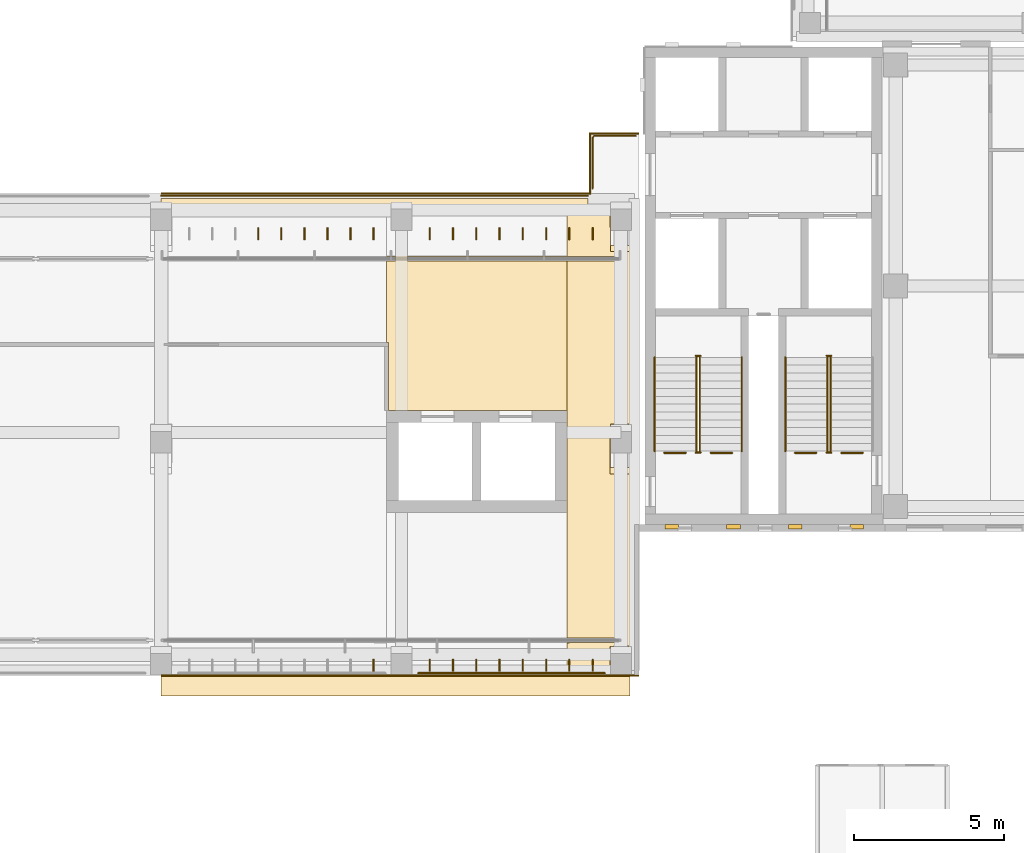
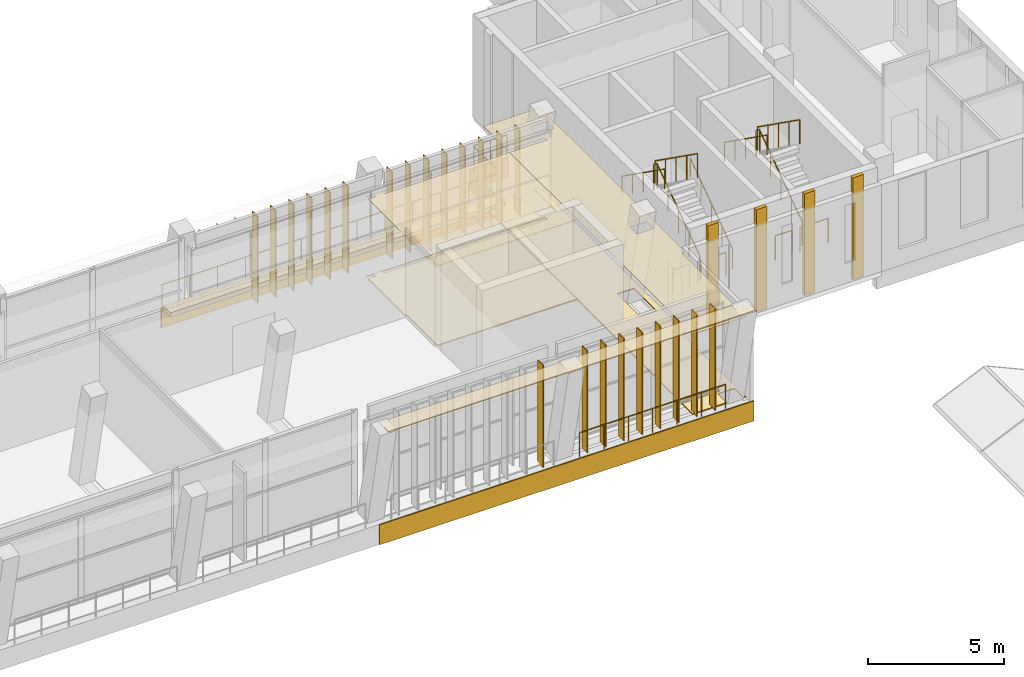
# One storey, part 57 of 73: 23 shading devices, 18 railings, 14 coverings.
"""IFC4 building model written with IfcOpenShell, lengths in metres."""

from ifc_helpers import new_model, si_unit, direction, frame, frame_2d, origin, origin_2d, place, context, subcontext, project, spatial, polyline, rectangle, circle, outline, extrude, material, layer, layer_set, type_object, element, save


model = new_model("IFC4")

# Units and contexts
model_context = context("Model", 3, precision=1e-05, world=origin(), true_north=direction((0.0, 1.0)))
body_context = subcontext(model_context, "Body", "Model", "MODEL_VIEW")
ifc_project = project(units=[si_unit("LENGTHUNIT", "METRE"), si_unit("AREAUNIT", "SQUARE_METRE"), si_unit("VOLUMEUNIT", "CUBIC_METRE"), si_unit("PLANEANGLEUNIT", "RADIAN"), si_unit("MASSUNIT", "GRAM", prefix="KILO")], contexts=[model_context])

# Site, building, storey
site_placement = place(None, origin())
site = spatial("IfcSite", under=ifc_project, at=site_placement, CompositionType="ELEMENT")
building_placement = place(site_placement, origin())
building = spatial("IfcBuilding", under=site, at=building_placement, Name="Lantern Court Media Centre", CompositionType="ELEMENT")
storey_placement = place(building_placement, frame((0.0, 0.0, 24.0)))
storey = spatial("IfcBuildingStorey", under=building, at=storey_placement, Name="L05", CompositionType="ELEMENT", Elevation=24.0)

# Railings
ifc_material_1 = material(Name="Powder-coated steel", Category="steel")
railing_type_1 = type_object("IfcRailingType", Name="Floor edge guard 1100", PredefinedType="GUARDRAIL", material=ifc_material_1)
railing_1_placement = place(storey_placement, frame((87.35009765625, 50.390380859375, 0.0)))
element("IfcRailing", 1, at=railing_1_placement, inside=storey, type_object=railing_type_1, Name="L05 opening guard 127", PredefinedType="GUARDRAIL", context=body_context, shape_type="SweptSolid", body=[
    extrude(circle(Radius=0.02392578125, at=origin_2d()), frame((0.0, 0.0, 1.076171875), z_axis=(-1.0, 0.0, 0.0), x_axis=(0.0, -1.0, 0.0)), (0.0, 0.0, 1.0), 0.703857421875),
    extrude(circle(Radius=0.02099609375, at=origin_2d()), origin(), (0.0, 0.0, 1.0), 1.052001953125),
    extrude(circle(Radius=0.02099609375, at=origin_2d()), frame((-0.703857421875, 0.0, 0.0)), (0.0, 0.0, 1.0), 1.052001953125),
])
for number, where, name in (
    (2, (85.8037109375, 50.390380859375, 0.0), "L05 opening guard 128"),
    (3, (83.0, 50.390380859375, 0.0), "L05 opening guard 129"),
    (4, (81.45361328125, 50.390380859375, 0.0), "L05 opening guard 130"),
):
    element("IfcRailing", number, at=place(storey_placement, frame(where)), inside=storey, type_object=railing_type_1, Name=name, PredefinedType="GUARDRAIL", context=body_context, shape_type="SweptSolid", body=[
        extrude(circle(Radius=0.02392578125, at=origin_2d()), frame((0.0, 0.0, 1.076171875), z_axis=(-1.0, 0.0, 0.0), x_axis=(0.0, -1.0, 0.0)), (0.0, 0.0, 1.0), 0.70361328125),
        extrude(circle(Radius=0.02099609375, at=origin_2d()), origin(), (0.0, 0.0, 1.0), 1.052001953125),
        extrude(circle(Radius=0.02099609375, at=origin_2d()), frame((-0.70361328125, 0.0, 0.0)), (0.0, 0.0, 1.0), 1.052001953125),
    ])
railing_2_placement = place(storey_placement, frame((78.760009765625, 43.06005859375, 0.0)))
element("IfcRailing", 5, at=railing_2_placement, inside=storey, type_object=railing_type_1, Name="L05 edge guard 189", PredefinedType="GUARDRAIL", context=body_context, shape_type="SweptSolid", body=[
    extrude(circle(Radius=0.02392578125, at=origin_2d()), frame((0.0, 0.0, 1.076171875), z_axis=(-1.0, 0.0, 0.0), x_axis=(0.0, -1.0, 0.0)), (0.0, 0.0, 1.0), 6.197998046875),
    extrude(circle(Radius=0.02099609375, at=origin_2d()), origin(), (0.0, 0.0, 1.0), 1.052001953125),
    extrude(circle(Radius=0.02099609375, at=origin_2d()), frame((-1.032958984375, 0.0, 0.0)), (0.0, 0.0, 1.0), 1.052001953125),
    extrude(circle(Radius=0.02099609375, at=origin_2d()), frame((-2.06591796875, 0.0, 0.0)), (0.0, 0.0, 1.0), 1.052001953125),
    extrude(circle(Radius=0.02099609375, at=origin_2d()), frame((-3.09912109375, 0.0, 0.0)), (0.0, 0.0, 1.0), 1.052001953125),
    extrude(circle(Radius=0.02099609375, at=origin_2d()), frame((-4.132080078125, 0.0, 0.0)), (0.0, 0.0, 1.0), 1.052001953125),
    extrude(circle(Radius=0.02099609375, at=origin_2d()), frame((-5.1650390625, 0.0, 0.0)), (0.0, 0.0, 1.0), 1.052001953125),
    extrude(circle(Radius=0.02099609375, at=origin_2d()), frame((-6.197998046875, 0.0, 0.0)), (0.0, 0.0, 1.0), 1.052001953125),
])
railing_3_placement = place(storey_placement, frame((78.360107421875, 59.18505859375, 0.0)))
element("IfcRailing", 6, at=railing_3_placement, inside=storey, type_object=railing_type_1, Name="L05 edge guard 190", PredefinedType="GUARDRAIL", context=body_context, shape_type="SweptSolid", body=[
    extrude(circle(Radius=0.02392578125, at=origin_2d()), frame((0.0, 0.0, 1.076171875), z_axis=(0.0, 1.0, 0.0), x_axis=(-1.0, 0.0, 0.0)), (0.0, 0.0, 1.0), 1.698974609375),
    extrude(circle(Radius=0.02392578125, at=origin_2d()), frame((0.0, 1.698974609375, 1.076171875), z_axis=(0.626354171064, 0.779538615074, 0.0), x_axis=(-0.779538615074, 0.626354171064, 0.0)), (0.0, 0.0, 1.0), 0.07177734375),
    extrude(circle(Radius=0.02392578125, at=origin_2d()), frame((0.044921875, 1.7548828125, 1.076171875), z_axis=(1.0, 0.0, 0.0), x_axis=(0.0, 1.0, 0.0)), (0.0, 0.0, 1.0), 1.39892578125),
    extrude(circle(Radius=0.02099609375, at=origin_2d()), origin(), (0.0, 0.0, 1.0), 1.052001953125),
    extrude(circle(Radius=0.02099609375, at=origin_2d()), frame((0.0, 0.849609375, 0.0)), (0.0, 0.0, 1.0), 1.052001953125),
    extrude(circle(Radius=0.02099609375, at=origin_2d()), frame((0.0, 1.698974609375, 0.0)), (0.0, 0.0, 1.0), 1.052001953125),
    extrude(circle(Radius=0.02099609375, at=origin_2d()), frame((0.044921875, 1.7548828125, 0.0)), (0.0, 0.0, 1.0), 1.052001953125),
    extrude(circle(Radius=0.02099609375, at=origin_2d()), frame((0.744384765625, 1.7548828125, 0.0)), (0.0, 0.0, 1.0), 1.052001953125),
    extrude(circle(Radius=0.02099609375, at=origin_2d()), frame((1.44384765625, 1.7548828125, 0.0)), (0.0, 0.0, 1.0), 1.052001953125),
])

# Coverings
ifc_material_2 = material(Name="White glass-fibre reinforced cement cladding", Category="concrete")
ifc_layer_1 = layer(ifc_material_2, 0.050048828125)
ifc_layer_set_1 = layer_set([ifc_layer_1], Name="White glass-fibre reinforced cement cladding")
covering_type_1 = type_object("IfcCoveringType", Name="Floor-edge band 50", PredefinedType="CLADDING", material=ifc_layer_set_1)
covering_1_placement = place(storey_placement, frame((64.0, 42.97509765625, -0.89990234375), z_axis=(0.0, 0.0, 1.0), x_axis=(1.0, 0.0, 0.0)))
element("IfcCovering", 7, at=covering_1_placement, inside=storey, type_object=covering_type_1, Name="Floor-edge band S outer L05", PredefinedType="CLADDING", context=body_context, shape_type="SweptSolid", body=[
    extrude(rectangle(XDim=15.89990234375, YDim=0.050048828125, at=frame_2d((7.949951171875, 0.0))), origin(), (0.0, 0.0, 1.0), 0.89990234375),
])
covering_2_placement = place(storey_placement, frame((64.0, 59.02490234375, -0.89990234375), z_axis=(0.0, 0.0, 1.0), x_axis=(1.0, 0.0, 0.0)))
element("IfcCovering", 8, at=covering_2_placement, inside=storey, type_object=covering_type_1, Name="Floor-edge band S inner L05", PredefinedType="CLADDING", context=body_context, shape_type="SweptSolid", body=[
    extrude(rectangle(XDim=14.25, YDim=0.050048828125, at=frame_2d((7.125, 0.0))), origin(), (0.0, 0.0, 1.0), 0.89990234375),
])
covering_3_placement = place(storey_placement, frame((78.300048828125, 61.02490234375, -0.89990234375), z_axis=(0.0, 0.0, 1.0), x_axis=(1.0, 0.0, 0.0)))
element("IfcCovering", 9, at=covering_3_placement, inside=storey, type_object=covering_type_1, Name="Floor-edge band S inner L05", PredefinedType="CLADDING", context=body_context, shape_type="SweptSolid", body=[
    extrude(rectangle(XDim=1.599853515625, YDim=0.050048828125, at=frame_2d((0.7998046875, 0.0))), origin(), (0.0, 0.0, 1.0), 0.89990234375),
])
covering_4_placement = place(storey_placement, frame((78.27490234375, 59.0, -0.89990234375), z_axis=(0.0, 0.0, 1.0), x_axis=(0.0, 1.0, 0.0)))
element("IfcCovering", 10, at=covering_4_placement, inside=storey, type_object=covering_type_1, Name="Floor-edge band S inner L05", PredefinedType="CLADDING", context=body_context, shape_type="SweptSolid", body=[
    extrude(rectangle(XDim=2.050048828125, YDim=0.050048828125, at=frame_2d((1.02490234375, 0.0))), origin(), (0.0, 0.0, 1.0), 0.89990234375),
])

# Railing
ifc_material_3 = material(Name="Painted mild steel balustrade", Category="steel")
railing_type_2 = type_object("IfcRailingType", Name="Guard 1100 steel balustrade", PredefinedType="GUARDRAIL", material=ifc_material_3)
railing_4_placement = place(storey_placement, frame((64.0, 58.949951171875, 0.0)))
element("IfcRailing", 11, at=railing_4_placement, inside=storey, type_object=railing_type_2, Name="Ledge guard S L05", PredefinedType="GUARDRAIL", context=body_context, shape_type="SweptSolid", body=[
    extrude(circle(Radius=0.02392578125, at=origin_2d()), frame((0.0, 0.0, 1.076171875), z_axis=(1.0, 0.0, 0.0), x_axis=(0.0, 1.0, 0.0)), (0.0, 0.0, 1.0), 14.199951171875),
    extrude(circle(Radius=0.02099609375, at=origin_2d()), origin(), (0.0, 0.0, 1.0), 1.052001953125),
    extrude(circle(Radius=0.02099609375, at=origin_2d()), frame((1.183349609375, 0.0, 0.0)), (0.0, 0.0, 1.0), 1.052001953125),
    extrude(circle(Radius=0.02099609375, at=origin_2d()), frame((2.36669921875, 0.0, 0.0)), (0.0, 0.0, 1.0), 1.052001953125),
    extrude(circle(Radius=0.02099609375, at=origin_2d()), frame((3.550048828125, 0.0, 0.0)), (0.0, 0.0, 1.0), 1.052001953125),
    extrude(circle(Radius=0.02099609375, at=origin_2d()), frame((4.7333984375, 0.0, 0.0)), (0.0, 0.0, 1.0), 1.052001953125),
    extrude(circle(Radius=0.02099609375, at=origin_2d()), frame((5.916748046875, 0.0, 0.0)), (0.0, 0.0, 1.0), 1.052001953125),
    extrude(circle(Radius=0.02099609375, at=origin_2d()), frame((7.10009765625, 0.0, 0.0)), (0.0, 0.0, 1.0), 1.052001953125),
    extrude(circle(Radius=0.02099609375, at=origin_2d()), frame((8.283203125, 0.0, 0.0)), (0.0, 0.0, 1.0), 1.052001953125),
    extrude(circle(Radius=0.02099609375, at=origin_2d()), frame((9.466552734375, 0.0, 0.0)), (0.0, 0.0, 1.0), 1.052001953125),
    extrude(circle(Radius=0.02099609375, at=origin_2d()), frame((10.64990234375, 0.0, 0.0)), (0.0, 0.0, 1.0), 1.052001953125),
    extrude(circle(Radius=0.02099609375, at=origin_2d()), frame((11.833251953125, 0.0, 0.0)), (0.0, 0.0, 1.0), 1.052001953125),
    extrude(circle(Radius=0.02099609375, at=origin_2d()), frame((13.0166015625, 0.0, 0.0)), (0.0, 0.0, 1.0), 1.052001953125),
    extrude(circle(Radius=0.02099609375, at=origin_2d()), frame((14.199951171875, 0.0, 0.0)), (0.0, 0.0, 1.0), 1.052001953125),
])

# Coverings
ifc_material_4 = material(Name="Honed limestone cladding", Category="masonry")
ifc_layer_2 = layer(ifc_material_4, 0.14990234375)
ifc_layer_set_2 = layer_set([ifc_layer_2], Name="Honed limestone cladding")
covering_type_2 = type_object("IfcCoveringType", Name="Limestone pilaster cladding 150", PredefinedType="CLADDING", material=ifc_layer_set_2)
covering_5_placement = place(storey_placement, frame((80.77490234375, 47.925048828125, 0.0), z_axis=(0.0, 0.0, 1.0), x_axis=(1.0, 0.0, 0.0)))
element("IfcCovering", 12, at=covering_5_placement, inside=storey, type_object=covering_type_2, Name="Limestone pilaster rib", PredefinedType="CLADDING", context=body_context, shape_type="SweptSolid", body=[
    extrude(rectangle(XDim=0.4501953125, YDim=0.14990234375, at=frame_2d((0.22509765625, 0.0))), origin(), (0.0, 0.0, 1.0), 4.580078125),
])
for number, where, z_axis, x_axis, name in (
    (13, (82.824951171875, 47.925048828125, 0.0), (0.0, 0.0, 1.0), (1.0, 0.0, 0.0), "Limestone pilaster rib"),
    (14, (84.875, 47.925048828125, 0.0), (0.0, 0.0, 1.0), (1.0, 0.0, 0.0), "Limestone pilaster rib"),
    (15, (86.925048828125, 47.925048828125, 0.0), (0.0, 0.0, 1.0), (1.0, 0.0, 0.0), "Limestone pilaster rib"),
):
    element("IfcCovering", number, at=place(storey_placement, frame(where, z_axis=z_axis, x_axis=x_axis)), inside=storey, type_object=covering_type_2, Name=name, PredefinedType="CLADDING", context=body_context, shape_type="SweptSolid", body=[
        extrude(rectangle(XDim=0.449951171875, YDim=0.14990234375, at=frame_2d((0.22509765625, 0.0))), origin(), (0.0, 0.0, 1.0), 4.580078125),
    ])
ifc_material_5 = material(Name="Planting substrate")
ifc_layer_3 = layer(ifc_material_5, 0.199951171875)
ifc_layer_set_3 = layer_set([ifc_layer_3], Name="Planting substrate")
covering_type_3 = type_object("IfcCoveringType", Name="Planted ledge build-up 200", PredefinedType="ROOFING", material=ifc_layer_set_3)
covering_6_placement = place(storey_placement, origin())
element("IfcCovering", 16, at=covering_6_placement, inside=storey, type_object=covering_type_3, Name="Planted ledge S L05", PredefinedType="ROOFING", context=body_context, shape_type="SweptSolid", body=[
    extrude(outline(polyline([(64.0, 58.85009765625), (78.199951171875, 58.85009765625), (78.199951171875, 58.320068359375), (64.0, 58.320068359375), (64.0, 58.85009765625)])), origin(), (0.0, 0.0, 1.0), 0.199951171875),
])
ifc_material_6 = material(Name="White fibre cement soffit board")
ifc_layer_4 = layer(ifc_material_6, 0.0400390625)
ifc_layer_set_4 = layer_set([ifc_layer_4], Name="White fibre cement soffit board")
covering_type_4 = type_object("IfcCoveringType", Name="Soffit lining 40", PredefinedType="CLADDING", material=ifc_layer_set_4)
covering_7_placement = place(storey_placement, frame((64.0, 42.64990234375, 4.5400390625), z_axis=(0.0, 0.0, 1.0), x_axis=(1.0, 0.0, 0.0)))
element("IfcCovering", 17, at=covering_7_placement, inside=storey, type_object=covering_type_4, Name="Soffit lining S L05", PredefinedType="CLADDING", context=body_context, shape_type="SweptSolid", body=[
    extrude(rectangle(XDim=15.60009765625, YDim=0.699951171875, at=frame_2d((7.800048828125, 0.0))), origin(), (0.0, 0.0, 1.0), 0.0400390625),
])

# Railings
railing_type_3 = type_object("IfcRailingType", Name="Stair guard 1100", PredefinedType="GUARDRAIL", material=ifc_material_1)
railing_5_placement = place(storey_placement, frame((86.27587890625, 50.449951171875, 0.1845703125)))
element("IfcRailing", 18, at=railing_5_placement, inside=storey, type_object=railing_type_3, Name="L05 ST-SEA stair guard 1", PredefinedType="GUARDRAIL", context=body_context, shape_type="SweptSolid", body=[
    extrude(circle(Radius=0.02392578125, at=origin_2d()), frame((0.0, 0.0, 1.076171875), z_axis=(0.0, 0.815376961211, 0.578930402662), x_axis=(-1.0, 0.0, 0.0)), (0.0, 0.0, 1.0), 3.82666015625),
    extrude(circle(Radius=0.02099609375, at=origin_2d()), origin(), (0.0, 0.0, 1.0), 1.052001953125),
    extrude(circle(Radius=0.02099609375, at=origin_2d()), frame((0.0, 0.780029296875, 0.5537109375)), (0.0, 0.0, 1.0), 1.052001953125),
    extrude(circle(Radius=0.02099609375, at=origin_2d()), frame((0.0, 1.56005859375, 1.107666015625)), (0.0, 0.0, 1.0), 1.052001953125),
    extrude(circle(Radius=0.02099609375, at=origin_2d()), frame((0.0, 2.340087890625, 1.66162109375)), (0.0, 0.0, 1.0), 1.052001953125),
    extrude(circle(Radius=0.02099609375, at=origin_2d()), frame((0.0, 3.1201171875, 2.21533203125)), (0.0, 0.0, 1.0), 1.052001953125),
])
railing_6_placement = place(storey_placement, frame((86.300048828125, 53.6201171875, 2.39990234375)))
element("IfcRailing", 19, at=railing_6_placement, inside=storey, type_object=railing_type_3, Name="L05 ST-SEA stair guard 2", PredefinedType="GUARDRAIL", context=body_context, shape_type="SweptSolid", body=[
    extrude(circle(Radius=0.02392578125, at=origin_2d()), frame((0.0, 0.0, 1.076171875), z_axis=(-1.0, 0.0, 0.0), x_axis=(0.0, -1.0, 0.0)), (0.0, 0.0, 1.0), 0.150146484375),
    extrude(circle(Radius=0.02099609375, at=origin_2d()), origin(), (0.0, 0.0, 1.0), 1.052001953125),
    extrude(circle(Radius=0.02099609375, at=origin_2d()), frame((-0.150146484375, 0.0, 0.0)), (0.0, 0.0, 1.0), 1.052001953125),
])
railing_7_placement = place(storey_placement, frame((86.174072265625, 53.570068359375, 2.584716796875)))
element("IfcRailing", 20, at=railing_7_placement, inside=storey, type_object=railing_type_3, Name="L05 ST-SEA stair guard 3", PredefinedType="GUARDRAIL", context=body_context, shape_type="SweptSolid", body=[
    extrude(circle(Radius=0.02392578125, at=origin_2d()), frame((0.0, 0.0, 1.076171875), z_axis=(0.0, -0.815376961211, 0.578930402662), x_axis=(1.0, 0.0, 0.0)), (0.0, 0.0, 1.0), 3.82666015625),
    extrude(circle(Radius=0.02099609375, at=origin_2d()), origin(), (0.0, 0.0, 1.0), 1.052001953125),
    extrude(circle(Radius=0.02099609375, at=origin_2d()), frame((0.0, -0.780029296875, 0.5537109375)), (0.0, 0.0, 1.0), 1.052001953125),
    extrude(circle(Radius=0.02099609375, at=origin_2d()), frame((0.0, -1.56005859375, 1.107666015625)), (0.0, 0.0, 1.0), 1.052001953125),
    extrude(circle(Radius=0.02099609375, at=origin_2d()), frame((0.0, -2.340087890625, 1.66162109375)), (0.0, 0.0, 1.0), 1.052001953125),
    extrude(circle(Radius=0.02099609375, at=origin_2d()), frame((0.0, -3.1201171875, 2.21533203125)), (0.0, 0.0, 1.0), 1.052001953125),
])
railing_8_placement = place(storey_placement, frame((86.300048828125, 50.39990234375, 0.0)))
element("IfcRailing", 21, at=railing_8_placement, inside=storey, type_object=railing_type_3, Name="L05 ST-SEA stair guard 4", PredefinedType="GUARDRAIL", context=body_context, shape_type="SweptSolid", body=[
    extrude(circle(Radius=0.02392578125, at=origin_2d()), frame((0.0, 0.0, 1.076171875), z_axis=(-1.0, 0.0, 0.0), x_axis=(0.0, -1.0, 0.0)), (0.0, 0.0, 1.0), 0.150146484375),
    extrude(circle(Radius=0.02099609375, at=origin_2d()), origin(), (0.0, 0.0, 1.0), 1.052001953125),
    extrude(circle(Radius=0.02099609375, at=origin_2d()), frame((-0.150146484375, 0.0, 0.0)), (0.0, 0.0, 1.0), 1.052001953125),
])
railing_9_placement = place(storey_placement, frame((81.926025390625, 50.449951171875, 0.1845703125)))
element("IfcRailing", 22, at=railing_9_placement, inside=storey, type_object=railing_type_3, Name="L05 ST-SEB stair guard 1", PredefinedType="GUARDRAIL", context=body_context, shape_type="SweptSolid", body=[
    extrude(circle(Radius=0.02392578125, at=origin_2d()), frame((0.0, 0.0, 1.076171875), z_axis=(0.0, 0.815376961211, 0.578930402662), x_axis=(-1.0, 0.0, 0.0)), (0.0, 0.0, 1.0), 3.82666015625),
    extrude(circle(Radius=0.02099609375, at=origin_2d()), origin(), (0.0, 0.0, 1.0), 1.052001953125),
    extrude(circle(Radius=0.02099609375, at=origin_2d()), frame((0.0, 0.780029296875, 0.5537109375)), (0.0, 0.0, 1.0), 1.052001953125),
    extrude(circle(Radius=0.02099609375, at=origin_2d()), frame((0.0, 1.56005859375, 1.107666015625)), (0.0, 0.0, 1.0), 1.052001953125),
    extrude(circle(Radius=0.02099609375, at=origin_2d()), frame((0.0, 2.340087890625, 1.66162109375)), (0.0, 0.0, 1.0), 1.052001953125),
    extrude(circle(Radius=0.02099609375, at=origin_2d()), frame((0.0, 3.1201171875, 2.21533203125)), (0.0, 0.0, 1.0), 1.052001953125),
])
railing_10_placement = place(storey_placement, frame((81.949951171875, 53.6201171875, 2.39990234375)))
element("IfcRailing", 23, at=railing_10_placement, inside=storey, type_object=railing_type_3, Name="L05 ST-SEB stair guard 2", PredefinedType="GUARDRAIL", context=body_context, shape_type="SweptSolid", body=[
    extrude(circle(Radius=0.02392578125, at=origin_2d()), frame((0.0, 0.0, 1.076171875), z_axis=(-1.0, 0.0, 0.0), x_axis=(0.0, -1.0, 0.0)), (0.0, 0.0, 1.0), 0.14990234375),
    extrude(circle(Radius=0.02099609375, at=origin_2d()), origin(), (0.0, 0.0, 1.0), 1.052001953125),
    extrude(circle(Radius=0.02099609375, at=origin_2d()), frame((-0.14990234375, 0.0, 0.0)), (0.0, 0.0, 1.0), 1.052001953125),
])
railing_11_placement = place(storey_placement, frame((81.823974609375, 53.570068359375, 2.584716796875)))
element("IfcRailing", 24, at=railing_11_placement, inside=storey, type_object=railing_type_3, Name="L05 ST-SEB stair guard 3", PredefinedType="GUARDRAIL", context=body_context, shape_type="SweptSolid", body=[
    extrude(circle(Radius=0.02392578125, at=origin_2d()), frame((0.0, 0.0, 1.076171875), z_axis=(0.0, -0.815376961211, 0.578930402662), x_axis=(1.0, 0.0, 0.0)), (0.0, 0.0, 1.0), 3.82666015625),
    extrude(circle(Radius=0.02099609375, at=origin_2d()), origin(), (0.0, 0.0, 1.0), 1.052001953125),
    extrude(circle(Radius=0.02099609375, at=origin_2d()), frame((0.0, -0.780029296875, 0.5537109375)), (0.0, 0.0, 1.0), 1.052001953125),
    extrude(circle(Radius=0.02099609375, at=origin_2d()), frame((0.0, -1.56005859375, 1.107666015625)), (0.0, 0.0, 1.0), 1.052001953125),
    extrude(circle(Radius=0.02099609375, at=origin_2d()), frame((0.0, -2.340087890625, 1.66162109375)), (0.0, 0.0, 1.0), 1.052001953125),
    extrude(circle(Radius=0.02099609375, at=origin_2d()), frame((0.0, -3.1201171875, 2.21533203125)), (0.0, 0.0, 1.0), 1.052001953125),
])
railing_12_placement = place(storey_placement, frame((81.949951171875, 50.39990234375, 0.0)))
element("IfcRailing", 25, at=railing_12_placement, inside=storey, type_object=railing_type_3, Name="L05 ST-SEB stair guard 4", PredefinedType="GUARDRAIL", context=body_context, shape_type="SweptSolid", body=[
    extrude(circle(Radius=0.02392578125, at=origin_2d()), frame((0.0, 0.0, 1.076171875), z_axis=(-1.0, 0.0, 0.0), x_axis=(0.0, -1.0, 0.0)), (0.0, 0.0, 1.0), 0.14990234375),
    extrude(circle(Radius=0.02099609375, at=origin_2d()), origin(), (0.0, 0.0, 1.0), 1.052001953125),
    extrude(circle(Radius=0.02099609375, at=origin_2d()), frame((-0.14990234375, 0.0, 0.0)), (0.0, 0.0, 1.0), 1.052001953125),
])
railing_type_4 = type_object("IfcRailingType", Name="Stair handrail 900", PredefinedType="HANDRAIL", material=ifc_material_1)
railing_13_placement = place(storey_placement, frame((84.77587890625, 53.570068359375, 2.584716796875)))
element("IfcRailing", 26, at=railing_13_placement, inside=storey, type_object=railing_type_4, Name="L05 ST-SEA stair handrail 2", PredefinedType="HANDRAIL", context=body_context, shape_type="SweptSolid", body=[
    extrude(circle(Radius=0.02392578125, at=origin_2d()), frame((0.0, 0.0, 0.8759765625), z_axis=(0.0, -0.815376961211, 0.578930402662), x_axis=(1.0, 0.0, 0.0)), (0.0, 0.0, 1.0), 3.82666015625),
    extrude(circle(Radius=0.02099609375, at=origin_2d()), origin(), (0.0, 0.0, 1.0), 0.851806640625),
    extrude(circle(Radius=0.02099609375, at=origin_2d()), frame((0.0, -0.780029296875, 0.5537109375)), (0.0, 0.0, 1.0), 0.851806640625),
    extrude(circle(Radius=0.02099609375, at=origin_2d()), frame((0.0, -1.56005859375, 1.107666015625)), (0.0, 0.0, 1.0), 0.851806640625),
    extrude(circle(Radius=0.02099609375, at=origin_2d()), frame((0.0, -2.340087890625, 1.66162109375)), (0.0, 0.0, 1.0), 0.851806640625),
    extrude(circle(Radius=0.02099609375, at=origin_2d()), frame((0.0, -3.1201171875, 2.21533203125)), (0.0, 0.0, 1.0), 0.851806640625),
])
railing_14_placement = place(storey_placement, frame((83.323974609375, 50.449951171875, 0.1845703125)))
element("IfcRailing", 27, at=railing_14_placement, inside=storey, type_object=railing_type_4, Name="L05 ST-SEB stair handrail 1", PredefinedType="HANDRAIL", context=body_context, shape_type="SweptSolid", body=[
    extrude(circle(Radius=0.02392578125, at=origin_2d()), frame((0.0, 0.0, 0.8759765625), z_axis=(0.0, 0.815376961211, 0.578930402662), x_axis=(-1.0, 0.0, 0.0)), (0.0, 0.0, 1.0), 3.82666015625),
    extrude(circle(Radius=0.02099609375, at=origin_2d()), origin(), (0.0, 0.0, 1.0), 0.851806640625),
    extrude(circle(Radius=0.02099609375, at=origin_2d()), frame((0.0, 0.780029296875, 0.5537109375)), (0.0, 0.0, 1.0), 0.851806640625),
    extrude(circle(Radius=0.02099609375, at=origin_2d()), frame((0.0, 1.56005859375, 1.107666015625)), (0.0, 0.0, 1.0), 0.851806640625),
    extrude(circle(Radius=0.02099609375, at=origin_2d()), frame((0.0, 2.340087890625, 1.66162109375)), (0.0, 0.0, 1.0), 0.851806640625),
    extrude(circle(Radius=0.02099609375, at=origin_2d()), frame((0.0, 3.1201171875, 2.21533203125)), (0.0, 0.0, 1.0), 0.851806640625),
])
railing_15_placement = place(storey_placement, frame((80.426025390625, 53.570068359375, 2.584716796875)))
element("IfcRailing", 28, at=railing_15_placement, inside=storey, type_object=railing_type_4, Name="L05 ST-SEB stair handrail 2", PredefinedType="HANDRAIL", context=body_context, shape_type="SweptSolid", body=[
    extrude(circle(Radius=0.02392578125, at=origin_2d()), frame((0.0, 0.0, 0.8759765625), z_axis=(0.0, -0.815376961211, 0.578930402662), x_axis=(1.0, 0.0, 0.0)), (0.0, 0.0, 1.0), 3.82666015625),
    extrude(circle(Radius=0.02099609375, at=origin_2d()), origin(), (0.0, 0.0, 1.0), 0.851806640625),
    extrude(circle(Radius=0.02099609375, at=origin_2d()), frame((0.0, -0.780029296875, 0.5537109375)), (0.0, 0.0, 1.0), 0.851806640625),
    extrude(circle(Radius=0.02099609375, at=origin_2d()), frame((0.0, -1.56005859375, 1.107666015625)), (0.0, 0.0, 1.0), 0.851806640625),
    extrude(circle(Radius=0.02099609375, at=origin_2d()), frame((0.0, -2.340087890625, 1.66162109375)), (0.0, 0.0, 1.0), 0.851806640625),
    extrude(circle(Radius=0.02099609375, at=origin_2d()), frame((0.0, -3.1201171875, 2.21533203125)), (0.0, 0.0, 1.0), 0.851806640625),
])

# Coverings
ifc_material_7 = material(Name="Mineral fibre ceiling tile")
ifc_layer_5 = layer(ifc_material_7, 0.02001953125)
ifc_layer_set_5 = layer_set([ifc_layer_5], Name="Mineral fibre ceiling tile")
covering_type_5 = type_object("IfcCoveringType", Name="Suspended ceiling tile", PredefinedType="CEILING", material=ifc_layer_set_5)
covering_8_placement = place(storey_placement, frame((0.0, 0.0, 3.60009765625)))
element("IfcCovering", 29, at=covering_8_placement, inside=storey, type_object=covering_type_5, Name="End Lobby ceiling", PredefinedType="CEILING", context=body_context, shape_type="SweptSolid", body=[
    extrude(outline(polyline([(77.5, 58.699951171875), (79.89990234375, 58.699951171875), (79.89990234375, 48.00048828125), (79.759521484375, 48.0), (79.759521484375, 43.300048828125), (77.5, 43.300048828125), (77.5, 44.074462890625), (79.1005859375, 44.074951171875), (79.10009765625, 44.2255859375), (77.5, 44.2255859375), (77.5, 56.7744140625), (79.1005859375, 56.77490234375), (79.10009765625, 56.925537109375), (77.5, 56.925537109375), (77.5, 58.699951171875)]), holes=[polyline([(79.650390625, 57.7958984375), (78.94970703125, 57.796142578125), (78.949462890625, 57.297607421875), (79.650390625, 57.29736328125), (79.650390625, 57.7958984375)]), polyline([(79.650390625, 50.395751953125), (78.94970703125, 50.396240234375), (78.949462890625, 49.897705078125), (79.650390625, 49.8974609375), (79.650390625, 50.395751953125)])]), origin(), (0.0, 0.0, 1.0), 0.02001953125),
])
covering_9_placement = place(storey_placement, frame((0.0, 0.0, 3.60009765625)))
element("IfcCovering", 30, at=covering_9_placement, inside=storey, type_object=covering_type_5, Name="Lift Lobby ceiling", PredefinedType="CEILING", context=body_context, shape_type="SweptSolid", body=[
    extrude(outline(polyline([(77.5, 51.800537109375), (71.56298828125, 51.800537109375), (71.56298828125, 54.0625), (71.5, 54.06298828125), (71.5, 56.7744140625), (71.80029296875, 56.774658203125), (71.800537109375, 56.925048828125), (71.5, 56.925537109375), (71.5, 56.949951171875), (77.5, 56.949951171875), (77.5, 56.925537109375), (72.199462890625, 56.925048828125), (72.199951171875, 56.7744140625), (77.5, 56.7744140625), (77.5, 51.800537109375)])), origin(), (0.0, 0.0, 1.0), 0.02001953125),
])
ifc_material_8 = material(Name="Terrazzo")
ifc_layer_6 = layer(ifc_material_8, 0.050048828125)
ifc_layer_set_6 = layer_set([ifc_layer_6], Name="Terrazzo")
covering_type_6 = type_object("IfcCoveringType", Name="Terrazzo floor finish", PredefinedType="FLOORING", material=ifc_layer_set_6)
covering_10_placement = place(storey_placement, origin())
element("IfcCovering", 31, at=covering_10_placement, inside=storey, type_object=covering_type_6, Name="End Lobby floor finish", PredefinedType="FLOORING", context=body_context, shape_type="SweptSolid", body=[
    extrude(outline(polyline([(79.89990234375, 58.699951171875), (79.89990234375, 48.0048828125), (79.7548828125, 48.0), (79.7548828125, 43.300048828125), (79.655029296875, 43.300048828125), (79.64990234375, 43.955078125), (78.946533203125, 43.95361328125), (78.945068359375, 43.300048828125), (77.5, 43.300048828125), (77.5, 44.070068359375), (79.10498046875, 44.074951171875), (79.1005859375, 44.22998046875), (77.5, 44.22998046875), (77.5, 56.77001953125), (79.10498046875, 56.77490234375), (79.1005859375, 56.929931640625), (77.5, 56.929931640625), (77.5, 58.699951171875), (78.945068359375, 58.699951171875), (78.949951171875, 57.0908203125), (79.654296875, 57.093505859375), (79.655029296875, 58.699951171875), (79.89990234375, 58.699951171875)]), holes=[polyline([(79.64990234375, 49.69091796875), (79.654541015625, 51.351806640625), (78.947998046875, 51.354736328125), (78.9453125, 49.69384765625), (79.64990234375, 49.69091796875)])]), origin(), (0.0, 0.0, 1.0), 0.050048828125),
])
covering_11_placement = place(storey_placement, origin())
element("IfcCovering", 32, at=covering_11_placement, inside=storey, type_object=covering_type_6, Name="Lift Lobby floor finish", PredefinedType="FLOORING", context=body_context, shape_type="SweptSolid", body=[
    extrude(outline(polyline([(77.5, 51.804931640625), (71.5673828125, 51.804931640625), (71.5673828125, 54.0625), (71.5, 54.0673828125), (71.5, 56.77001953125), (71.80224609375, 56.7705078125), (71.804931640625, 56.925048828125), (71.5, 56.929931640625), (71.5, 56.949951171875), (77.5, 56.949951171875), (77.5, 56.929931640625), (72.195068359375, 56.925048828125), (72.199951171875, 56.77001953125), (77.5, 56.77001953125), (77.5, 51.804931640625)])), origin(), (0.0, 0.0, 1.0), 0.050048828125),
])

# Shading devices
ifc_material_9 = material(Name="Bronze anodised aluminium louvre", Category="aluminium")
ifc_layer_7 = layer(ifc_material_9, 0.0400390625)
ifc_layer_set_7 = layer_set([ifc_layer_7], Name="Bronze anodised aluminium louvre")
shading_device_type_1 = type_object("IfcShadingDeviceType", Name="Vertical louvre 40x400 full storey", PredefinedType="USERDEFINED", material=ifc_layer_set_7)
for number, where, z_axis, x_axis, name in (
    (33, (71.066650390625, 43.320068359375, 0.0), (0.0, 0.0, 1.0), (1.0, 0.0, 0.0), "Vertical louvre S outer L05"),
    (34, (72.9375, 43.320068359375, 0.0), (0.0, 0.0, 1.0), (1.0, 0.0, 0.0), "Vertical louvre S outer L05"),
    (35, (73.71240234375, 43.320068359375, 0.0), (0.0, 0.0, 1.0), (1.0, 0.0, 0.0), "Vertical louvre S outer L05"),
    (36, (74.487548828125, 43.320068359375, 0.0), (0.0, 0.0, 1.0), (1.0, 0.0, 0.0), "Vertical louvre S outer L05"),
    (37, (75.262451171875, 43.320068359375, 0.0), (0.0, 0.0, 1.0), (1.0, 0.0, 0.0), "Vertical louvre S outer L05"),
    (38, (76.03759765625, 43.320068359375, 0.0), (0.0, 0.0, 1.0), (1.0, 0.0, 0.0), "Vertical louvre S outer L05"),
    (39, (76.8125, 43.320068359375, 0.0), (0.0, 0.0, 1.0), (1.0, 0.0, 0.0), "Vertical louvre S outer L05"),
    (40, (77.58740234375, 43.320068359375, 0.0), (0.0, 0.0, 1.0), (1.0, 0.0, 0.0), "Vertical louvre S outer L05"),
    (41, (78.362548828125, 43.320068359375, 0.0), (0.0, 0.0, 1.0), (1.0, 0.0, 0.0), "Vertical louvre S outer L05"),
):
    element("IfcShadingDevice", number, at=place(storey_placement, frame(where, z_axis=z_axis, x_axis=x_axis)), inside=storey, type_object=shading_device_type_1, Name=name, ObjectType="VERTICAL LOUVRE", PredefinedType="USERDEFINED", context=body_context, shape_type="SweptSolid", body=[
        extrude(rectangle(XDim=0.0400390625, YDim=0.39990234375, at=origin_2d()), origin(), (0.0, 0.0, 1.0), 4.580078125),
    ])
ifc_layer_8 = layer(ifc_material_9, 0.0400390625)
ifc_layer_set_8 = layer_set([ifc_layer_8], Name="Bronze anodised aluminium louvre")
shading_device_type_2 = type_object("IfcShadingDeviceType", Name="Vertical louvre 40x400 under beam", PredefinedType="USERDEFINED", material=ifc_layer_set_8)
for number, where, z_axis, x_axis, name in (
    (42, (67.2333984375, 57.679931640625, 0.0), (0.0, 0.0, 1.0), (1.0, 0.0, 0.0), "Vertical louvre S inner L05"),
    (43, (68.0, 57.679931640625, 0.0), (0.0, 0.0, 1.0), (1.0, 0.0, 0.0), "Vertical louvre S inner L05"),
    (44, (68.7666015625, 57.679931640625, 0.0), (0.0, 0.0, 1.0), (1.0, 0.0, 0.0), "Vertical louvre S inner L05"),
    (45, (69.533447265625, 57.679931640625, 0.0), (0.0, 0.0, 1.0), (1.0, 0.0, 0.0), "Vertical louvre S inner L05"),
    (46, (70.300048828125, 57.679931640625, 0.0), (0.0, 0.0, 1.0), (1.0, 0.0, 0.0), "Vertical louvre S inner L05"),
    (47, (71.066650390625, 57.679931640625, 0.0), (0.0, 0.0, 1.0), (1.0, 0.0, 0.0), "Vertical louvre S inner L05"),
    (48, (72.9375, 57.679931640625, 0.0), (0.0, 0.0, 1.0), (1.0, 0.0, 0.0), "Vertical louvre S inner L05"),
    (49, (73.71240234375, 57.679931640625, 0.0), (0.0, 0.0, 1.0), (1.0, 0.0, 0.0), "Vertical louvre S inner L05"),
    (50, (74.487548828125, 57.679931640625, 0.0), (0.0, 0.0, 1.0), (1.0, 0.0, 0.0), "Vertical louvre S inner L05"),
    (51, (75.262451171875, 57.679931640625, 0.0), (0.0, 0.0, 1.0), (1.0, 0.0, 0.0), "Vertical louvre S inner L05"),
    (52, (76.03759765625, 57.679931640625, 0.0), (0.0, 0.0, 1.0), (1.0, 0.0, 0.0), "Vertical louvre S inner L05"),
    (53, (76.8125, 57.679931640625, 0.0), (0.0, 0.0, 1.0), (1.0, 0.0, 0.0), "Vertical louvre S inner L05"),
    (54, (77.58740234375, 57.679931640625, 0.0), (0.0, 0.0, 1.0), (1.0, 0.0, 0.0), "Vertical louvre S inner L05"),
    (55, (78.362548828125, 57.679931640625, 0.0), (0.0, 0.0, 1.0), (1.0, 0.0, 0.0), "Vertical louvre S inner L05"),
):
    element("IfcShadingDevice", number, at=place(storey_placement, frame(where, z_axis=z_axis, x_axis=x_axis)), inside=storey, type_object=shading_device_type_2, Name=name, ObjectType="VERTICAL LOUVRE", PredefinedType="USERDEFINED", context=body_context, shape_type="SweptSolid", body=[
        extrude(rectangle(XDim=0.0400390625, YDim=0.39990234375, at=origin_2d()), origin(), (0.0, 0.0, 1.0), 3.89990234375),
    ])

save(model, "model.ifc")
